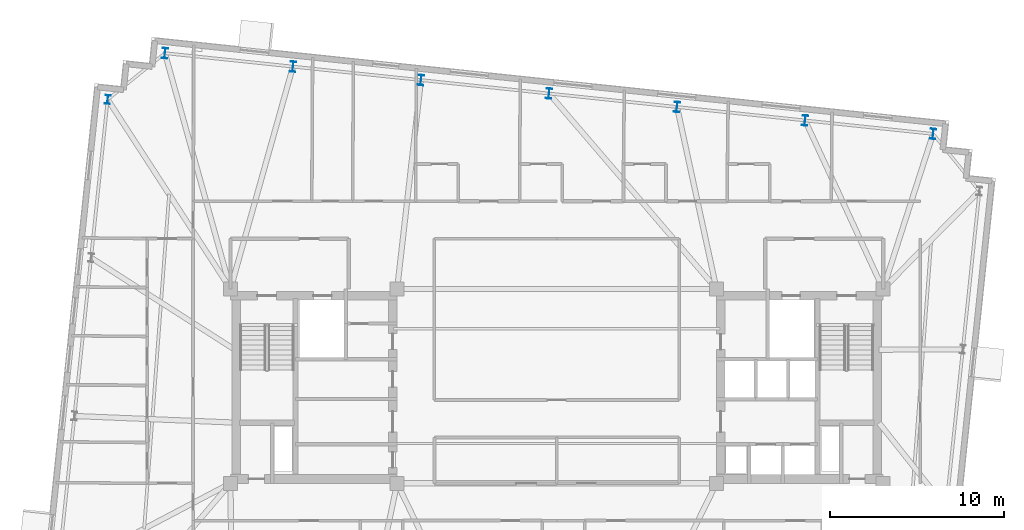
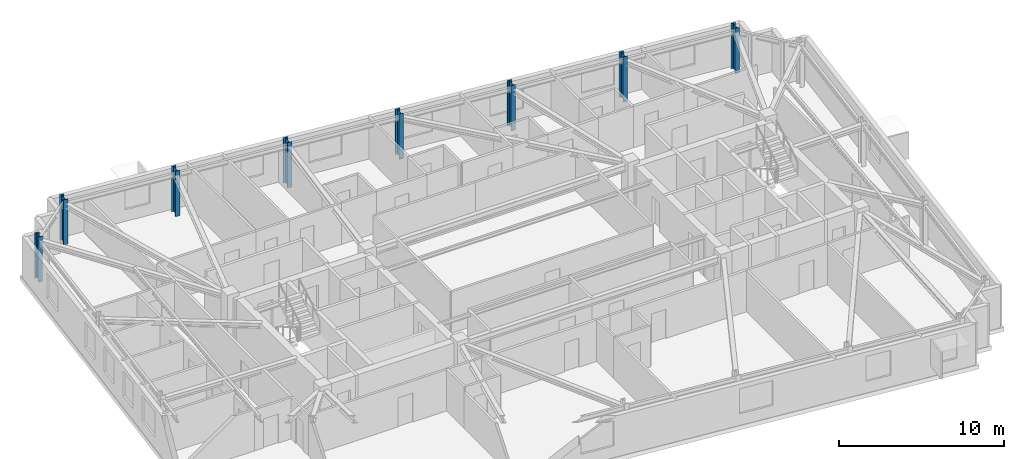
# One storey, part 3 of 13: 8 columns.
"""IFC4 building model written with IfcOpenShell, lengths in metres."""

from ifc_helpers import new_model, si_unit, direction, frame, origin, origin_2d, place, context, subcontext, project, spatial, i_section, extrude, material, material_profile, profile_set, type_object, element, save


model = new_model("IFC4")

# Units and contexts
model_context = context("Model", 3, precision=1e-05, world=origin(), true_north=direction((0.0, 1.0)))
body_context = subcontext(model_context, "Body", "Model", "MODEL_VIEW")
ifc_project = project(units=[si_unit("LENGTHUNIT", "METRE"), si_unit("AREAUNIT", "SQUARE_METRE"), si_unit("VOLUMEUNIT", "CUBIC_METRE"), si_unit("PLANEANGLEUNIT", "RADIAN"), si_unit("MASSUNIT", "GRAM", prefix="KILO")], contexts=[model_context])

# Site, building, storey
site_placement = place(None, origin())
site = spatial("IfcSite", under=ifc_project, at=site_placement, CompositionType="ELEMENT")
building_placement = place(site_placement, origin())
building = spatial("IfcBuilding", under=site, at=building_placement, Name="Qobustan Lattice House", CompositionType="ELEMENT")
storey_placement = place(building_placement, frame((0.0, 0.0, 186.35009765625)))
storey = spatial("IfcBuildingStorey", under=building, at=storey_placement, Name="L52", CompositionType="ELEMENT", Elevation=186.35009765625)

# Columns
ifc_material_1 = material(Name="Steel S355", Category="steel")
ifc_material_profile_1 = material_profile(ifc_material_1, i_section(OverallWidth=0.300048828125, OverallDepth=0.5, WebThickness=0.014404296875, FlangeThickness=0.028076171875, FilletRadius=0.027099609375, at=origin_2d()), Name="HEB500")
ifc_profile_set_1 = profile_set([ifc_material_profile_1], Name="Steel S355")
column_type_1 = type_object("IfcColumnType", Name="COL-ST-HEB500", PredefinedType="COLUMN", material=ifc_profile_set_1)
column_placement = place(storey_placement, frame((-25.87451171875, 16.513916015625, 0.0), z_axis=(0.0, 0.0, 1.0), x_axis=(0.994521895368, -0.104528463268, 0.0)))
element("IfcColumn", 1, at=column_placement, inside=storey, type_object=column_type_1, Name="L52 B4 perimeter column W1", PredefinedType="COLUMN", context=body_context, shape_type="SweptSolid", body=[
    extrude(i_section(OverallWidth=0.300048828125, OverallDepth=0.5, WebThickness=0.014404296875, FlangeThickness=0.028076171875, FilletRadius=0.027099609375, at=origin_2d()), origin(), (0.0, 0.0, 1.0), 3.349853515625),
])
ifc_material_2 = material(Name="Steel S355", Category="steel")
ifc_material_profile_2 = material_profile(ifc_material_2, i_section(OverallWidth=0.300048828125, OverallDepth=0.60009765625, WebThickness=0.015380859375, FlangeThickness=0.030029296875, FilletRadius=0.027099609375, at=origin_2d()), Name="HEB600")
ifc_profile_set_2 = profile_set([ifc_material_profile_2], Name="Steel S355")
column_type_2 = type_object("IfcColumnType", Name="COL-ST-HEB600", PredefinedType="COLUMN", material=ifc_profile_set_2)
for number, where, z_axis, x_axis, name in (
    (2, (21.678955078125, 14.532470703125, 0.0), (0.0, 0.0, 1.0), (0.994521895368, -0.104528463268, 0.0), "L52 B4 perimeter column N1"),
    (3, (14.302978515625, 15.3076171875, 0.0), (0.0, 0.0, 1.0), (0.994521895368, -0.104528463268, 0.0), "L52 B4 perimeter column N2"),
    (4, (6.927001953125, 16.0830078125, 0.0), (0.0, 0.0, 1.0), (0.994521895368, -0.104528463268, 0.0), "L52 B4 perimeter column N3"),
    (5, (-0.44921875, 16.858154296875, 0.0), (0.0, 0.0, 1.0), (0.994521895368, -0.104528463268, 0.0), "L52 B4 perimeter column N4"),
    (6, (-7.8251953125, 17.633544921875, 0.0), (0.0, 0.0, 1.0), (0.994521895368, -0.104528463268, 0.0), "L52 B4 perimeter column N5"),
    (7, (-15.201171875, 18.40869140625, 0.0), (0.0, 0.0, 1.0), (0.994521895368, -0.104528463268, 0.0), "L52 B4 perimeter column N6"),
    (8, (-22.577392578125, 19.18408203125, 0.0), (0.0, 0.0, 1.0), (0.994521895368, -0.104528463268, 0.0), "L52 B4 perimeter column N7"),
):
    element("IfcColumn", number, at=place(storey_placement, frame(where, z_axis=z_axis, x_axis=x_axis)), inside=storey, type_object=column_type_2, Name=name, PredefinedType="COLUMN", context=body_context, shape_type="SweptSolid", body=[
        extrude(i_section(OverallWidth=0.300048828125, OverallDepth=0.60009765625, WebThickness=0.015380859375, FlangeThickness=0.030029296875, FilletRadius=0.027099609375, at=origin_2d()), origin(), (0.0, 0.0, 1.0), 3.349853515625),
    ])

save(model, "model.ifc")
